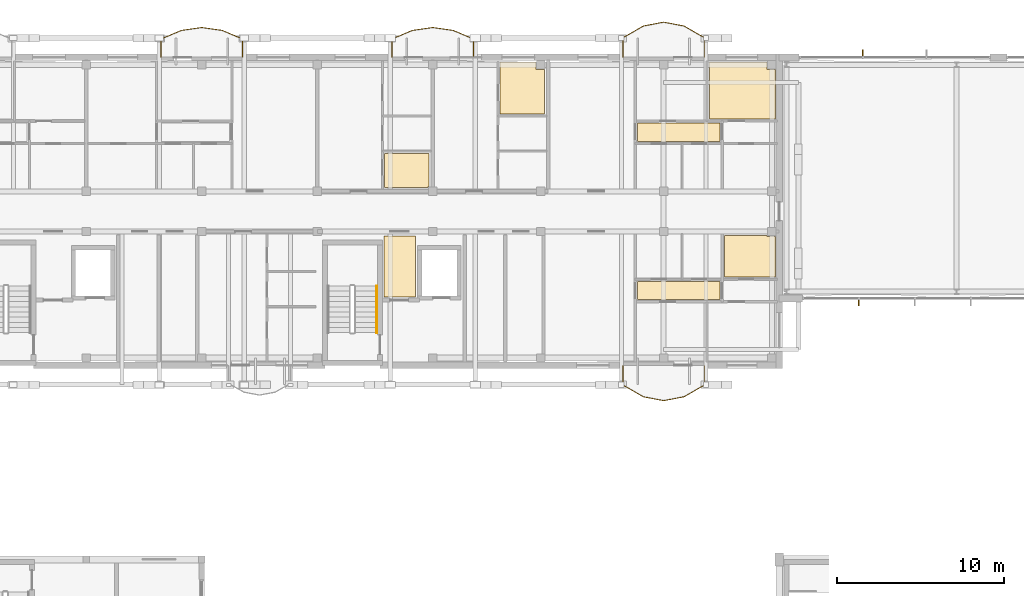
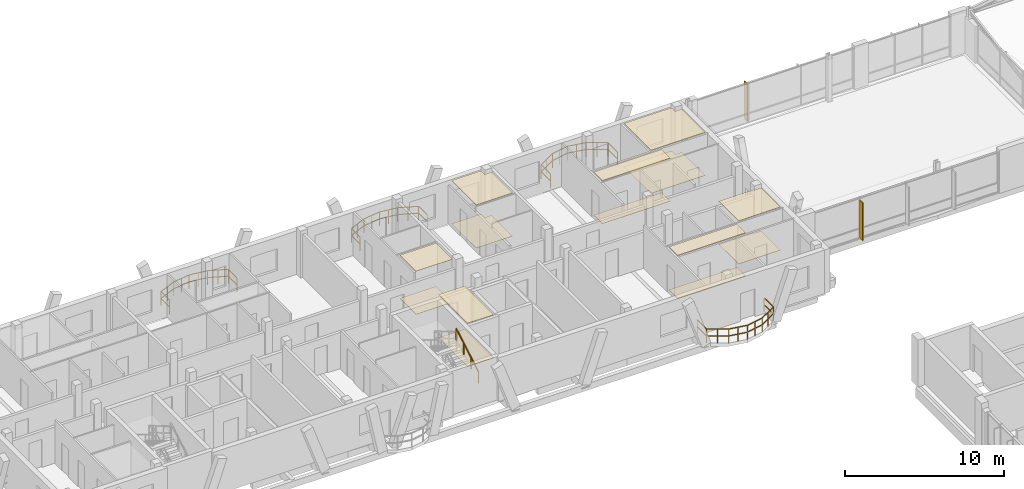
# One storey, part 180 of 189: 14 coverings, 5 railings, 2 shading devices.
"""IFC4 building model written with IfcOpenShell, lengths in metres."""

import ifcopenshell
import ifcopenshell.guid

model = None  # the IFC model being written
_history = None  # IfcOwnerHistory: only IFC2X3 demands one
_inside = {}  # id of a spatial element -> (the spatial element, [elements in it])
_under = {}  # id of a project, library or spatial element -> (it, [spatial elements below it])
_declared = {}  # id of a project -> (the project, [libraries it declares])
_typed = {}  # id of a type object -> (the type object, [elements of that type])
_made_of = {}  # id of a material, layer set ... -> (it, [elements and type objects made of it])


def new_model(schema):
    """Start an empty IFC model of exactly this schema.

    Asked for "IFC4X3", IfcOpenShell would pick the latest addendum, in which some entities
    have other attributes; the version numbers below select the first issue.
    IFC2X3 requires an IfcOwnerHistory on every rooted entity: one is made here for all.
    """
    global model, _history
    if schema == "IFC4X3":
        model = ifcopenshell.file(schema_version=(4, 3, 0, 0))
    else:
        model = ifcopenshell.file(schema=schema)
    _inside.clear()
    _under.clear()
    _declared.clear()
    _typed.clear()
    _made_of.clear()
    _history = None
    if model.schema == "IFC2X3":
        org = make("IfcOrganization", Name="unknown")
        user = make(
            "IfcPersonAndOrganization",
            ThePerson=make("IfcPerson", FamilyName="unknown"),
            TheOrganization=org,
        )
        app = make(
            "IfcApplication",
            ApplicationDeveloper=org,
            Version="unknown",
            ApplicationFullName="unknown",
            ApplicationIdentifier="unknown",
        )
        _history = make(
            "IfcOwnerHistory",
            OwningUser=user,
            OwningApplication=app,
            ChangeAction="ADDED",
            CreationDate=0,
        )
    return model


def make(cls, **values):
    """One entity of the class cls with the attributes given. An attribute that is None is left unset."""
    return model.create_entity(
        cls, **{name: value for name, value in values.items() if value is not None}
    )


def rooted(cls, **values):
    """An entity with a GlobalId (a new one), such as an element, a storey or a relation."""
    return make(cls, GlobalId=ifcopenshell.guid.new(), OwnerHistory=_history, **values)


def si_unit(unit_type, name, prefix=None):
    """IfcSIUnit, for example si_unit("LENGTHUNIT", "METRE", prefix="MILLI")."""
    return make("IfcSIUnit", UnitType=unit_type, Prefix=prefix, Name=name)


def assignment(units):
    """IfcUnitAssignment: the units of a project."""
    return None if units is None else make("IfcUnitAssignment", Units=units)


def point(xyz):
    """IfcCartesianPoint."""
    return None if xyz is None else make("IfcCartesianPoint", Coordinates=xyz)


def direction(xyz):
    """IfcDirection."""
    return None if xyz is None else make("IfcDirection", DirectionRatios=xyz)


def frame(location, z_axis=None, x_axis=None):
    """IfcAxis2Placement3D, a coordinate frame: its origin and axes. An axis left out is left unset."""
    return make(
        "IfcAxis2Placement3D",
        Location=point(location),
        Axis=direction(z_axis),
        RefDirection=direction(x_axis),
    )


def frame_2d(location, x_axis=None):
    """IfcAxis2Placement2D, a coordinate frame in the plane: its origin and x axis."""
    return make(
        "IfcAxis2Placement2D", Location=point(location), RefDirection=direction(x_axis)
    )


def origin():
    """The frame at (0, 0, 0) with its axes left unset."""
    return frame((0.0, 0.0, 0.0))


def origin_2d():
    """The frame at (0, 0) in the plane with its x axis left unset."""
    return frame_2d((0.0, 0.0))


def place(relative_to, where):
    """IfcLocalPlacement: puts the frame where relative to a parent placement (None: the world)."""
    return make(
        "IfcLocalPlacement", PlacementRelTo=relative_to, RelativePlacement=where
    )


def context(
    kind, dimensions, precision=None, world=None, true_north=None, identifier=None
):
    """IfcGeometricRepresentationContext, for example the 3D "Model" context."""
    return make(
        "IfcGeometricRepresentationContext",
        ContextIdentifier=identifier,
        ContextType=kind,
        CoordinateSpaceDimension=dimensions,
        Precision=precision,
        WorldCoordinateSystem=world,
        TrueNorth=true_north,
    )


def subcontext(parent, identifier, kind, view, scale=None):
    """IfcGeometricRepresentationSubContext, for example "Body" below "Model"."""
    return make(
        "IfcGeometricRepresentationSubContext",
        ContextIdentifier=identifier,
        ContextType=kind,
        ParentContext=parent,
        TargetScale=scale,
        TargetView=view,
    )


def project(units=None, contexts=None):
    """IfcProject with its units and contexts."""
    return rooted(
        "IfcProject",
        Name="project",
        RepresentationContexts=contexts,
        UnitsInContext=assignment(units),
    )


def spatial(cls, under=None, at=None, **own):
    """A site, building, storey or space (cls), placed at a placement, below another one or the project."""
    s = rooted(cls, ObjectPlacement=at, **own)
    if under is not None:
        _under.setdefault(under.id(), (under, []))[1].append(s)
    return s


def polyline(points):
    """IfcPolyline through the points."""
    return make("IfcPolyline", Points=[point(p) for p in points])


def profile(cls, at=None, kind="AREA", **sizes):
    """A parametric profile (cls). Its sizes go by their IFC names, for example OverallWidth=200.0."""
    return make(cls, ProfileType=kind, Position=at, **sizes)


def rectangle(**sizes):
    """IfcRectangleProfileDef."""
    return profile("IfcRectangleProfileDef", **sizes)


def outline(outer, holes=None, kind="AREA"):
    """IfcArbitraryClosedProfileDef: a profile drawn as a closed curve; with holes, ...WithVoids."""
    if holes is None:
        return make("IfcArbitraryClosedProfileDef", ProfileType=kind, OuterCurve=outer)
    return make(
        "IfcArbitraryProfileDefWithVoids",
        ProfileType=kind,
        OuterCurve=outer,
        InnerCurves=holes,
    )


def extrude(swept, where, along, depth):
    """IfcExtrudedAreaSolid: the profile swept, set in the frame where, extruded along a direction by depth."""
    return make(
        "IfcExtrudedAreaSolid",
        SweptArea=swept,
        Position=where,
        ExtrudedDirection=direction(along),
        Depth=depth,
    )


def shape(context_of_items, identifier, shape_type, items):
    """IfcShapeRepresentation: the items that make up one representation, for example the "Body"."""
    return make(
        "IfcShapeRepresentation",
        ContextOfItems=context_of_items,
        RepresentationIdentifier=identifier,
        RepresentationType=shape_type,
        Items=items,
    )


def material(Name=None, Category=None):
    """IfcMaterial."""
    return make("IfcMaterial", Name=Name, Category=Category)


def layer(
    of_material, thickness, ventilated=None, Name=None, Category=None, Priority=None
):
    """IfcMaterialLayer: one layer of a wall or slab, of a material (None: an air gap)."""
    return make(
        "IfcMaterialLayer",
        Material=of_material,
        LayerThickness=thickness,
        IsVentilated=ventilated,
        Name=Name,
        Category=Category,
        Priority=Priority,
    )


def layer_set(layers, Name=None):
    """IfcMaterialLayerSet."""
    return make("IfcMaterialLayerSet", MaterialLayers=layers, LayerSetName=Name)


def made_of(thing, what):
    """Note that an element or type object is made of a material, layer set ...; save() writes the relation."""
    if what is not None:
        _made_of.setdefault(what.id(), (what, []))[1].append(thing)
    return thing


def type_object(cls, material=None, **own):
    """A type object (cls), such as IfcWallType, which elements share."""
    return made_of(rooted(cls, **own), material)


def element(
    cls,
    number,
    at=None,
    inside=None,
    cuts=None,
    type_object=None,
    material=None,
    context=None,
    identifier="Body",
    shape_type=None,
    held_by="IfcProductDefinitionShape",
    body=None,
    shapes=None,
    **own,
):
    """One element of the class cls, such as IfcWall. Its Tag is "e" and its number.

    at: its placement. inside: the storey or other place that contains it. cuts: it is an
    opening in that element (IfcRelVoidsElement). A single representation is given by context,
    identifier, shape_type and body (its items); several are given by shapes. held_by: the class
    of the entity that holds the representations. save() writes the other relations.
    """
    e = rooted(cls, Tag="e%d" % number, ObjectPlacement=at, **own)
    if body is not None:
        shapes = [shape(context, identifier, shape_type, body)]
    if shapes is not None:
        e.Representation = make(held_by, Representations=shapes)
    if inside is not None:
        _inside.setdefault(inside.id(), (inside, []))[1].append(e)
    if cuts is not None:
        rooted(
            "IfcRelVoidsElement", RelatingBuildingElement=cuts, RelatedOpeningElement=e
        )
    if type_object is not None:
        _typed.setdefault(type_object.id(), (type_object, []))[1].append(e)
    return made_of(e, material)


def aggregate(whole, parts):
    """IfcRelAggregates: a whole, such as a stair, and the parts it consists of."""
    return rooted("IfcRelAggregates", RelatingObject=whole, RelatedObjects=parts)


def save(model, path):
    """Write the relations noted so far, then the file.

    IfcRelAggregates (storeys below a building ...), IfcRelContainedInSpatialStructure (elements
    in a storey), IfcRelDefinesByType, IfcRelAssociatesMaterial and IfcRelDeclares: one each for
    every whole, place, type object, material and project.
    """
    for whole, parts in _under.values():
        aggregate(whole, parts)
    for where, things in _inside.values():
        rooted(
            "IfcRelContainedInSpatialStructure",
            RelatedElements=things,
            RelatingStructure=where,
        )
    for kind, things in _typed.values():
        rooted("IfcRelDefinesByType", RelatedObjects=things, RelatingType=kind)
    for what, things in _made_of.values():
        rooted("IfcRelAssociatesMaterial", RelatedObjects=things, RelatingMaterial=what)
    for by, libraries in _declared.values():
        rooted("IfcRelDeclares", RelatingContext=by, RelatedDefinitions=libraries)
    model.write(path)


model = new_model("IFC4")

# Units and contexts
model_context = context("Model", 3, precision=1e-05, world=origin(), true_north=direction((0.0, 1.0)))
body_context = subcontext(model_context, "Body", "Model", "MODEL_VIEW")
ifc_project = project(units=[si_unit("LENGTHUNIT", "METRE"), si_unit("AREAUNIT", "SQUARE_METRE"), si_unit("VOLUMEUNIT", "CUBIC_METRE"), si_unit("PLANEANGLEUNIT", "RADIAN"), si_unit("MASSUNIT", "GRAM", prefix="KILO")], contexts=[model_context])

# Site, building, storey
site_placement = place(None, origin())
site = spatial("IfcSite", under=ifc_project, at=site_placement, CompositionType="ELEMENT")
building_placement = place(site_placement, origin())
building = spatial("IfcBuilding", under=site, at=building_placement, Name="Zavelmont Quarter", CompositionType="ELEMENT")
storey_placement = place(building_placement, frame((0.0, 0.0, 4.39990234375)))
storey = spatial("IfcBuildingStorey", under=building, at=storey_placement, Name="L01", CompositionType="ELEMENT", Elevation=4.39990234375)

# Coverings
ifc_material_1 = material(Name="Perforated acoustic gypsum board")
ifc_layer_1 = layer(ifc_material_1, 0.02490234375)
ifc_layer_set_1 = layer_set([ifc_layer_1], Name="Perforated acoustic gypsum board")
covering_type_1 = type_object("IfcCoveringType", Name="CV-CL01", PredefinedType="CEILING", material=ifc_layer_set_1)
covering_1_placement = place(storey_placement, frame((0.0, 0.0, 3.30517578125)))
element("IfcCovering", 1, at=covering_1_placement, inside=storey, type_object=covering_type_1, Name="L01 Lobby Vestibule acoustic ceiling", PredefinedType="CEILING", context=body_context, shape_type="SweptSolid", body=[
    extrude(outline(polyline([(31.580078125, 105.320068359375), (33.469970703125, 105.320068359375), (33.469970703125, 101.679931640625), (31.580078125, 101.679931640625), (31.580078125, 105.320068359375)])), origin(), (0.0, 0.0, 1.0), 0.02490234375),
])
covering_2_placement = place(storey_placement, frame((0.0, 0.0, 3.30517578125)))
element("IfcCovering", 2, at=covering_2_placement, inside=storey, type_object=covering_type_1, Name="L01 Kitchen acoustic ceiling", PredefinedType="CEILING", context=body_context, shape_type="SweptSolid", body=[
    extrude(outline(polyline([(31.6298828125, 110.27001953125), (34.27001953125, 110.27001953125), (34.27001953125, 108.2900390625), (34.2099609375, 108.2900390625), (34.2099609375, 108.22998046875), (31.6298828125, 108.22998046875), (31.6298828125, 110.27001953125)])), origin(), (0.0, 0.0, 1.0), 0.02490234375),
])
covering_3_placement = place(storey_placement, frame((0.0, 0.0, 3.30517578125)))
element("IfcCovering", 3, at=covering_3_placement, inside=storey, type_object=covering_type_1, Name="L01 Single Bedroom acoustic ceiling", PredefinedType="CEILING", context=body_context, shape_type="SweptSolid", body=[
    extrude(outline(polyline([(38.530029296875, 115.719970703125), (40.669921875, 115.719970703125), (40.669921875, 115.27001953125), (41.169921875, 115.27001953125), (41.169921875, 112.6298828125), (38.530029296875, 112.6298828125), (38.530029296875, 115.719970703125)])), origin(), (0.0, 0.0, 1.0), 0.02490234375),
])
covering_4_placement = place(storey_placement, frame((0.0, 0.0, 3.30517578125)))
element("IfcCovering", 4, at=covering_4_placement, inside=storey, type_object=covering_type_1, Name="L01 Double Bedroom acoustic ceiling", PredefinedType="CEILING", context=body_context, shape_type="SweptSolid", body=[
    extrude(outline(polyline([(51.030029296875, 115.719970703125), (54.469970703125, 115.719970703125), (54.469970703125, 115.27001953125), (54.969970703125, 115.27001953125), (54.969970703125, 112.330078125), (51.030029296875, 112.330078125), (51.030029296875, 115.719970703125)])), origin(), (0.0, 0.0, 1.0), 0.02490234375),
])
ifc_material_2 = material(Name="Slatted European ash acoustic baffle ceiling")
ifc_layer_2 = layer(ifc_material_2, 0.0400390625)
ifc_layer_set_2 = layer_set([ifc_layer_2], Name="Slatted European ash acoustic baffle ceiling")
covering_type_2 = type_object("IfcCoveringType", Name="CV-CL02", PredefinedType="CEILING", material=ifc_layer_set_2)
covering_5_placement = place(storey_placement, frame((0.0, 0.0, 3.2900390625)))
element("IfcCovering", 5, at=covering_5_placement, inside=storey, type_object=covering_type_2, Name="L01 Apartment Hall acoustic ceiling", PredefinedType="CEILING", context=body_context, shape_type="SweptSolid", body=[
    extrude(outline(polyline([(46.72998046875, 112.070068359375), (51.669921875, 112.070068359375), (51.669921875, 110.97998046875), (46.72998046875, 110.97998046875), (46.72998046875, 112.070068359375)])), origin(), (0.0, 0.0, 1.0), 0.0400390625),
])
covering_6_placement = place(storey_placement, frame((0.0, 0.0, 3.2900390625)))
element("IfcCovering", 6, at=covering_6_placement, inside=storey, type_object=covering_type_2, Name="L01 Apartment Hall acoustic ceiling", PredefinedType="CEILING", context=body_context, shape_type="SweptSolid", body=[
    extrude(outline(polyline([(46.72998046875, 102.6201171875), (51.669921875, 102.6201171875), (51.669921875, 101.530029296875), (46.72998046875, 101.530029296875), (46.72998046875, 102.6201171875)])), origin(), (0.0, 0.0, 1.0), 0.0400390625),
])
ifc_material_3 = material(Name="Moisture-resistant painted gypsum ceiling")
ifc_layer_3 = layer(ifc_material_3, 0.02001953125)
ifc_layer_set_3 = layer_set([ifc_layer_3], Name="Moisture-resistant painted gypsum ceiling")
covering_type_3 = type_object("IfcCoveringType", Name="CV-CL04", PredefinedType="CEILING", material=ifc_layer_set_3)
covering_7_placement = place(storey_placement, frame((0.0, 0.0, 3.31005859375)))
element("IfcCovering", 7, at=covering_7_placement, inside=storey, type_object=covering_type_3, Name="L01 Bathroom acoustic ceiling", PredefinedType="CEILING", context=body_context, shape_type="SweptSolid", body=[
    extrude(outline(polyline([(51.929931640625, 105.3701171875), (54.469970703125, 105.3701171875), (54.469970703125, 105.31005859375), (54.969970703125, 105.31005859375), (54.969970703125, 102.8798828125), (51.929931640625, 102.8798828125), (51.929931640625, 105.3701171875)])), origin(), (0.0, 0.0, 1.0), 0.02001953125),
])
ifc_material_4 = material(Name="Engineered European oak parquet")
ifc_layer_4 = layer(ifc_material_4, 0.02197265625)
ifc_layer_set_4 = layer_set([ifc_layer_4], Name="Engineered European oak parquet")
covering_type_4 = type_object("IfcCoveringType", Name="CV-FL01", PredefinedType="FLOORING", material=ifc_layer_set_4)
covering_8_placement = place(storey_placement, origin())
element("IfcCovering", 8, at=covering_8_placement, inside=storey, type_object=covering_type_4, Name="L01 Lobby Vestibule floor finish", PredefinedType="FLOORING", context=body_context, shape_type="SweptSolid", body=[
    extrude(outline(polyline([(31.580078125, 105.320068359375), (33.469970703125, 105.320068359375), (33.469970703125, 101.679931640625), (31.580078125, 101.679931640625), (31.580078125, 105.320068359375)])), origin(), (0.0, 0.0, 1.0), 0.022216796875),
])
covering_9_placement = place(storey_placement, origin())
element("IfcCovering", 9, at=covering_9_placement, inside=storey, type_object=covering_type_4, Name="L01 Kitchen floor finish", PredefinedType="FLOORING", context=body_context, shape_type="SweptSolid", body=[
    extrude(outline(polyline([(31.6298828125, 110.27001953125), (34.27001953125, 110.27001953125), (34.27001953125, 108.2900390625), (34.2099609375, 108.2900390625), (34.2099609375, 108.22998046875), (31.6298828125, 108.22998046875), (31.6298828125, 110.27001953125)])), origin(), (0.0, 0.0, 1.0), 0.022216796875),
])
covering_10_placement = place(storey_placement, origin())
element("IfcCovering", 10, at=covering_10_placement, inside=storey, type_object=covering_type_4, Name="L01 Single Bedroom floor finish", PredefinedType="FLOORING", context=body_context, shape_type="SweptSolid", body=[
    extrude(outline(polyline([(38.530029296875, 115.719970703125), (40.669921875, 115.719970703125), (40.669921875, 115.27001953125), (41.169921875, 115.27001953125), (41.169921875, 112.6298828125), (38.530029296875, 112.6298828125), (38.530029296875, 115.719970703125)])), origin(), (0.0, 0.0, 1.0), 0.022216796875),
])
covering_11_placement = place(storey_placement, origin())
element("IfcCovering", 11, at=covering_11_placement, inside=storey, type_object=covering_type_4, Name="L01 Double Bedroom floor finish", PredefinedType="FLOORING", context=body_context, shape_type="SweptSolid", body=[
    extrude(outline(polyline([(51.030029296875, 115.719970703125), (54.469970703125, 115.719970703125), (54.469970703125, 115.27001953125), (54.969970703125, 115.27001953125), (54.969970703125, 112.330078125), (51.030029296875, 112.330078125), (51.030029296875, 115.719970703125)])), origin(), (0.0, 0.0, 1.0), 0.022216796875),
])
ifc_material_5 = material(Name="Honed Belgian bluestone tile", Category="masonry")
ifc_layer_5 = layer(ifc_material_5, 0.030029296875)
ifc_layer_set_5 = layer_set([ifc_layer_5], Name="Honed Belgian bluestone tile")
covering_type_5 = type_object("IfcCoveringType", Name="CV-FL02", PredefinedType="FLOORING", material=ifc_layer_set_5)
covering_12_placement = place(storey_placement, origin())
element("IfcCovering", 12, at=covering_12_placement, inside=storey, type_object=covering_type_5, Name="L01 Apartment Hall floor finish", PredefinedType="FLOORING", context=body_context, shape_type="SweptSolid", body=[
    extrude(outline(polyline([(46.72998046875, 112.070068359375), (51.669921875, 112.070068359375), (51.669921875, 110.97998046875), (46.72998046875, 110.97998046875), (46.72998046875, 112.070068359375)])), origin(), (0.0, 0.0, 1.0), 0.030029296875),
])
covering_13_placement = place(storey_placement, origin())
element("IfcCovering", 13, at=covering_13_placement, inside=storey, type_object=covering_type_5, Name="L01 Apartment Hall floor finish", PredefinedType="FLOORING", context=body_context, shape_type="SweptSolid", body=[
    extrude(outline(polyline([(46.72998046875, 102.6201171875), (51.669921875, 102.6201171875), (51.669921875, 101.530029296875), (46.72998046875, 101.530029296875), (46.72998046875, 102.6201171875)])), origin(), (0.0, 0.0, 1.0), 0.030029296875),
])
ifc_material_6 = material(Name="Slip-resistant porcelain tile")
ifc_layer_6 = layer(ifc_material_6, 0.02587890625)
ifc_layer_set_6 = layer_set([ifc_layer_6], Name="Slip-resistant porcelain tile")
covering_type_6 = type_object("IfcCoveringType", Name="CV-FL04", PredefinedType="FLOORING", material=ifc_layer_set_6)
covering_14_placement = place(storey_placement, origin())
element("IfcCovering", 14, at=covering_14_placement, inside=storey, type_object=covering_type_6, Name="L01 Bathroom floor finish", PredefinedType="FLOORING", context=body_context, shape_type="SweptSolid", body=[
    extrude(outline(polyline([(51.929931640625, 105.3701171875), (54.469970703125, 105.3701171875), (54.469970703125, 105.31005859375), (54.969970703125, 105.31005859375), (54.969970703125, 102.8798828125), (51.929931640625, 102.8798828125), (51.929931640625, 105.3701171875)])), origin(), (0.0, 0.0, 1.0), 0.026123046875),
])

# Railings
ifc_material_7 = material(Name="Powder-coated steel and tempered double safety glass", Category="steel")
railing_type_1 = type_object("IfcRailingType", Name="RL-BAL1", PredefinedType="BALUSTRADE", material=ifc_material_7)
railing_1_placement = place(storey_placement, frame((23.13916015625, 116.02001953125, 0.0)))
element("IfcRailing", 15, at=railing_1_placement, inside=storey, type_object=railing_type_1, Name="L01 Block B curved balcony guard RL-BAL1", PredefinedType="BALUSTRADE", context=body_context, shape_type="SweptSolid", body=[
    extrude(rectangle(XDim=0.048095703125, YDim=0.048095703125, at=origin_2d()), frame((0.0, 0.0, 1.076171875), z_axis=(0.0, 1.0, 0.0), x_axis=(-1.0, 0.0, 0.0)), (0.0, 0.0, 1.0), 1.080078125),
    extrude(rectangle(XDim=0.048095703125, YDim=0.048095703125, at=origin_2d()), frame((0.0, 0.0, 0.550048828125), z_axis=(0.0, 1.0, 0.0), x_axis=(-1.0, 0.0, 0.0)), (0.0, 0.0, 1.0), 1.080078125),
    extrude(rectangle(XDim=0.048095703125, YDim=0.048095703125, at=origin_2d()), frame((0.0, 1.080078125, 1.076171875), z_axis=(-0.92058780564, 0.390535647678, 0.0), x_axis=(-0.390535647678, -0.92058780564, 0.0)), (0.0, 0.0, 1.0), 1.32470703125),
    extrude(rectangle(XDim=0.048095703125, YDim=0.048095703125, at=origin_2d()), frame((0.0, 1.080078125, 0.550048828125), z_axis=(-0.92058780564, 0.390535647678, 0.0), x_axis=(-0.390535647678, -0.92058780564, 0.0)), (0.0, 0.0, 1.0), 1.32470703125),
    extrude(rectangle(XDim=0.048095703125, YDim=0.048095703125, at=origin_2d()), frame((-1.219482421875, 1.597412109375, 1.076171875), z_axis=(-0.990134929143, 0.140117172719, 0.0), x_axis=(-0.140117172719, -0.990134929143, 0.0)), (0.0, 0.0, 1.0), 1.23193359375),
    extrude(rectangle(XDim=0.048095703125, YDim=0.048095703125, at=origin_2d()), frame((-1.219482421875, 1.597412109375, 0.550048828125), z_axis=(-0.990134929143, 0.140117172719, 0.0), x_axis=(-0.140117172719, -0.990134929143, 0.0)), (0.0, 0.0, 1.0), 1.23193359375),
    extrude(rectangle(XDim=0.048095703125, YDim=0.048095703125, at=origin_2d()), frame((-2.439208984375, 1.77001953125, 1.076171875), z_axis=(-0.990131037056, -0.140144673313, 0.0), x_axis=(0.140144673313, -0.990131037056, 0.0)), (0.0, 0.0, 1.0), 1.231689453125),
    extrude(rectangle(XDim=0.048095703125, YDim=0.048095703125, at=origin_2d()), frame((-2.439208984375, 1.77001953125, 0.550048828125), z_axis=(-0.990131037056, -0.140144673313, 0.0), x_axis=(0.140144673313, -0.990131037056, 0.0)), (0.0, 0.0, 1.0), 1.231689453125),
    extrude(rectangle(XDim=0.048095703125, YDim=0.048095703125, at=origin_2d()), frame((-3.65869140625, 1.597412109375, 1.076171875), z_axis=(-0.920615907856, -0.390469397267, 0.0), x_axis=(0.390469397267, -0.920615907856, 0.0)), (0.0, 0.0, 1.0), 1.324951171875),
    extrude(rectangle(XDim=0.048095703125, YDim=0.048095703125, at=origin_2d()), frame((-3.65869140625, 1.597412109375, 0.550048828125), z_axis=(-0.920615907856, -0.390469397267, 0.0), x_axis=(0.390469397267, -0.920615907856, 0.0)), (0.0, 0.0, 1.0), 1.324951171875),
    extrude(rectangle(XDim=0.048095703125, YDim=0.048095703125, at=origin_2d()), frame((-4.87841796875, 1.080078125, 1.076171875), z_axis=(0.0, -1.0, 0.0), x_axis=(1.0, 0.0, 0.0)), (0.0, 0.0, 1.0), 1.080078125),
    extrude(rectangle(XDim=0.048095703125, YDim=0.048095703125, at=origin_2d()), frame((-4.87841796875, 1.080078125, 0.550048828125), z_axis=(0.0, -1.0, 0.0), x_axis=(1.0, 0.0, 0.0)), (0.0, 0.0, 1.0), 1.080078125),
    extrude(rectangle(XDim=0.0419921875, YDim=0.0419921875, at=origin_2d()), origin(), (0.0, 0.0, 1.0), 1.052001953125),
    extrude(rectangle(XDim=0.0419921875, YDim=0.0419921875, at=origin_2d()), frame((0.0, 1.080078125, 0.0)), (0.0, 0.0, 1.0), 1.052001953125),
    extrude(rectangle(XDim=0.0419921875, YDim=0.0419921875, at=origin_2d()), frame((-0.60986328125, 1.3388671875, 0.0)), (0.0, 0.0, 1.0), 1.052001953125),
    extrude(rectangle(XDim=0.0419921875, YDim=0.0419921875, at=origin_2d()), frame((-1.219482421875, 1.597412109375, 0.0)), (0.0, 0.0, 1.0), 1.052001953125),
    extrude(rectangle(XDim=0.0419921875, YDim=0.0419921875, at=origin_2d()), frame((-1.829345703125, 1.68359375, 0.0)), (0.0, 0.0, 1.0), 1.052001953125),
    extrude(rectangle(XDim=0.0419921875, YDim=0.0419921875, at=origin_2d()), frame((-2.439208984375, 1.77001953125, 0.0)), (0.0, 0.0, 1.0), 1.052001953125),
    extrude(rectangle(XDim=0.0419921875, YDim=0.0419921875, at=origin_2d()), frame((-3.048828125, 1.68359375, 0.0)), (0.0, 0.0, 1.0), 1.052001953125),
    extrude(rectangle(XDim=0.0419921875, YDim=0.0419921875, at=origin_2d()), frame((-3.65869140625, 1.597412109375, 0.0)), (0.0, 0.0, 1.0), 1.052001953125),
    extrude(rectangle(XDim=0.0419921875, YDim=0.0419921875, at=origin_2d()), frame((-4.2685546875, 1.3388671875, 0.0)), (0.0, 0.0, 1.0), 1.052001953125),
    extrude(rectangle(XDim=0.0419921875, YDim=0.0419921875, at=origin_2d()), frame((-4.87841796875, 1.080078125, 0.0)), (0.0, 0.0, 1.0), 1.052001953125),
    extrude(rectangle(XDim=0.0419921875, YDim=0.0419921875, at=origin_2d()), frame((-4.87841796875, 0.0, 0.0)), (0.0, 0.0, 1.0), 1.052001953125),
])
railing_2_placement = place(storey_placement, frame((36.939208984375, 116.02001953125, 0.0)))
element("IfcRailing", 16, at=railing_2_placement, inside=storey, type_object=railing_type_1, Name="L01 Block B curved balcony guard RL-BAL1", PredefinedType="BALUSTRADE", context=body_context, shape_type="SweptSolid", body=[
    extrude(rectangle(XDim=0.048095703125, YDim=0.048095703125, at=origin_2d()), frame((0.0, 0.0, 1.076171875), z_axis=(0.0, 1.0, 0.0), x_axis=(-1.0, 0.0, 0.0)), (0.0, 0.0, 1.0), 1.080078125),
    extrude(rectangle(XDim=0.048095703125, YDim=0.048095703125, at=origin_2d()), frame((0.0, 0.0, 0.550048828125), z_axis=(0.0, 1.0, 0.0), x_axis=(-1.0, 0.0, 0.0)), (0.0, 0.0, 1.0), 1.080078125),
    extrude(rectangle(XDim=0.048095703125, YDim=0.048095703125, at=origin_2d()), frame((0.0, 1.080078125, 1.076171875), z_axis=(-0.920615907856, 0.390469397267, 0.0), x_axis=(-0.390469397267, -0.920615907856, 0.0)), (0.0, 0.0, 1.0), 1.324951171875),
    extrude(rectangle(XDim=0.048095703125, YDim=0.048095703125, at=origin_2d()), frame((0.0, 1.080078125, 0.550048828125), z_axis=(-0.920615907856, 0.390469397267, 0.0), x_axis=(-0.390469397267, -0.920615907856, 0.0)), (0.0, 0.0, 1.0), 1.324951171875),
    extrude(rectangle(XDim=0.048095703125, YDim=0.048095703125, at=origin_2d()), frame((-1.2197265625, 1.597412109375, 1.076171875), z_axis=(-0.990131037056, 0.140144673313, 0.0), x_axis=(-0.140144673313, -0.990131037056, 0.0)), (0.0, 0.0, 1.0), 1.231689453125),
    extrude(rectangle(XDim=0.048095703125, YDim=0.048095703125, at=origin_2d()), frame((-1.2197265625, 1.597412109375, 0.550048828125), z_axis=(-0.990131037056, 0.140144673313, 0.0), x_axis=(-0.140144673313, -0.990131037056, 0.0)), (0.0, 0.0, 1.0), 1.231689453125),
    extrude(rectangle(XDim=0.048095703125, YDim=0.048095703125, at=origin_2d()), frame((-2.439208984375, 1.77001953125, 1.076171875), z_axis=(-0.990131037056, -0.140144673313, 0.0), x_axis=(0.140144673313, -0.990131037056, 0.0)), (0.0, 0.0, 1.0), 1.231689453125),
    extrude(rectangle(XDim=0.048095703125, YDim=0.048095703125, at=origin_2d()), frame((-2.439208984375, 1.77001953125, 0.550048828125), z_axis=(-0.990131037056, -0.140144673313, 0.0), x_axis=(0.140144673313, -0.990131037056, 0.0)), (0.0, 0.0, 1.0), 1.231689453125),
    extrude(rectangle(XDim=0.048095703125, YDim=0.048095703125, at=origin_2d()), frame((-3.65869140625, 1.597412109375, 1.076171875), z_axis=(-0.920615907856, -0.390469397267, 0.0), x_axis=(0.390469397267, -0.920615907856, 0.0)), (0.0, 0.0, 1.0), 1.324951171875),
    extrude(rectangle(XDim=0.048095703125, YDim=0.048095703125, at=origin_2d()), frame((-3.65869140625, 1.597412109375, 0.550048828125), z_axis=(-0.920615907856, -0.390469397267, 0.0), x_axis=(0.390469397267, -0.920615907856, 0.0)), (0.0, 0.0, 1.0), 1.324951171875),
    extrude(rectangle(XDim=0.048095703125, YDim=0.048095703125, at=origin_2d()), frame((-4.87841796875, 1.080078125, 1.076171875), z_axis=(0.0, -1.0, 0.0), x_axis=(1.0, 0.0, 0.0)), (0.0, 0.0, 1.0), 1.080078125),
    extrude(rectangle(XDim=0.048095703125, YDim=0.048095703125, at=origin_2d()), frame((-4.87841796875, 1.080078125, 0.550048828125), z_axis=(0.0, -1.0, 0.0), x_axis=(1.0, 0.0, 0.0)), (0.0, 0.0, 1.0), 1.080078125),
    extrude(rectangle(XDim=0.0419921875, YDim=0.0419921875, at=origin_2d()), origin(), (0.0, 0.0, 1.0), 1.052001953125),
    extrude(rectangle(XDim=0.0419921875, YDim=0.0419921875, at=origin_2d()), frame((0.0, 1.080078125, 0.0)), (0.0, 0.0, 1.0), 1.052001953125),
    extrude(rectangle(XDim=0.0419921875, YDim=0.0419921875, at=origin_2d()), frame((-0.60986328125, 1.3388671875, 0.0)), (0.0, 0.0, 1.0), 1.052001953125),
    extrude(rectangle(XDim=0.0419921875, YDim=0.0419921875, at=origin_2d()), frame((-1.2197265625, 1.597412109375, 0.0)), (0.0, 0.0, 1.0), 1.052001953125),
    extrude(rectangle(XDim=0.0419921875, YDim=0.0419921875, at=origin_2d()), frame((-1.82958984375, 1.68359375, 0.0)), (0.0, 0.0, 1.0), 1.052001953125),
    extrude(rectangle(XDim=0.0419921875, YDim=0.0419921875, at=origin_2d()), frame((-2.439208984375, 1.77001953125, 0.0)), (0.0, 0.0, 1.0), 1.052001953125),
    extrude(rectangle(XDim=0.0419921875, YDim=0.0419921875, at=origin_2d()), frame((-3.048828125, 1.68359375, 0.0)), (0.0, 0.0, 1.0), 1.052001953125),
    extrude(rectangle(XDim=0.0419921875, YDim=0.0419921875, at=origin_2d()), frame((-3.65869140625, 1.597412109375, 0.0)), (0.0, 0.0, 1.0), 1.052001953125),
    extrude(rectangle(XDim=0.0419921875, YDim=0.0419921875, at=origin_2d()), frame((-4.2685546875, 1.3388671875, 0.0)), (0.0, 0.0, 1.0), 1.052001953125),
    extrude(rectangle(XDim=0.0419921875, YDim=0.0419921875, at=origin_2d()), frame((-4.87841796875, 1.080078125, 0.0)), (0.0, 0.0, 1.0), 1.052001953125),
    extrude(rectangle(XDim=0.0419921875, YDim=0.0419921875, at=origin_2d()), frame((-4.87841796875, 0.0, 0.0)), (0.0, 0.0, 1.0), 1.052001953125),
])
railing_3_placement = place(storey_placement, frame((50.726806640625, 116.02001953125, 0.0)))
element("IfcRailing", 17, at=railing_3_placement, inside=storey, type_object=railing_type_1, Name="L01 Block B curved balcony guard RL-BAL1", PredefinedType="BALUSTRADE", context=body_context, shape_type="SweptSolid", body=[
    extrude(rectangle(XDim=0.048095703125, YDim=0.048095703125, at=origin_2d()), frame((0.0, 0.0, 1.076171875), z_axis=(0.0, 1.0, 0.0), x_axis=(-1.0, 0.0, 0.0)), (0.0, 0.0, 1.0), 1.16259765625),
    extrude(rectangle(XDim=0.048095703125, YDim=0.048095703125, at=origin_2d()), frame((0.0, 0.0, 0.550048828125), z_axis=(0.0, 1.0, 0.0), x_axis=(-1.0, 0.0, 0.0)), (0.0, 0.0, 1.0), 1.16259765625),
    extrude(rectangle(XDim=0.048095703125, YDim=0.048095703125, at=origin_2d()), frame((0.0, 1.16259765625, 1.076171875), z_axis=(-0.867156837692, 0.49803515824, 0.0), x_axis=(-0.49803515824, -0.867156837692, 0.0)), (0.0, 0.0, 1.0), 1.399658203125),
    extrude(rectangle(XDim=0.048095703125, YDim=0.048095703125, at=origin_2d()), frame((0.0, 1.16259765625, 0.550048828125), z_axis=(-0.867156837692, 0.49803515824, 0.0), x_axis=(-0.49803515824, -0.867156837692, 0.0)), (0.0, 0.0, 1.0), 1.399658203125),
    extrude(rectangle(XDim=0.048095703125, YDim=0.048095703125, at=origin_2d()), frame((-1.213623046875, 1.859619140625, 1.076171875), z_axis=(-0.982137321018, 0.188165572471, 0.0), x_axis=(-0.188165572471, -0.982137321018, 0.0)), (0.0, 0.0, 1.0), 1.235107421875),
    extrude(rectangle(XDim=0.048095703125, YDim=0.048095703125, at=origin_2d()), frame((-1.213623046875, 1.859619140625, 0.550048828125), z_axis=(-0.982137321018, 0.188165572471, 0.0), x_axis=(-0.188165572471, -0.982137321018, 0.0)), (0.0, 0.0, 1.0), 1.235107421875),
    extrude(rectangle(XDim=0.048095703125, YDim=0.048095703125, at=origin_2d()), frame((-2.4267578125, 2.092041015625, 1.076171875), z_axis=(-0.982144317136, -0.188129052296, 0.0), x_axis=(0.188129052296, -0.982144317136, 0.0)), (0.0, 0.0, 1.0), 1.2353515625),
    extrude(rectangle(XDim=0.048095703125, YDim=0.048095703125, at=origin_2d()), frame((-2.4267578125, 2.092041015625, 0.550048828125), z_axis=(-0.982144317136, -0.188129052296, 0.0), x_axis=(0.188129052296, -0.982144317136, 0.0)), (0.0, 0.0, 1.0), 1.2353515625),
    extrude(rectangle(XDim=0.048095703125, YDim=0.048095703125, at=origin_2d()), frame((-3.64013671875, 1.859619140625, 1.076171875), z_axis=(-0.867113559168, -0.498110505317, 0.0), x_axis=(0.498110505317, -0.867113559168, 0.0)), (0.0, 0.0, 1.0), 1.3994140625),
    extrude(rectangle(XDim=0.048095703125, YDim=0.048095703125, at=origin_2d()), frame((-3.64013671875, 1.859619140625, 0.550048828125), z_axis=(-0.867113559168, -0.498110505317, 0.0), x_axis=(0.498110505317, -0.867113559168, 0.0)), (0.0, 0.0, 1.0), 1.3994140625),
    extrude(rectangle(XDim=0.048095703125, YDim=0.048095703125, at=origin_2d()), frame((-4.853515625, 1.16259765625, 1.076171875), z_axis=(0.0, -1.0, 0.0), x_axis=(1.0, 0.0, 0.0)), (0.0, 0.0, 1.0), 1.16259765625),
    extrude(rectangle(XDim=0.048095703125, YDim=0.048095703125, at=origin_2d()), frame((-4.853515625, 1.16259765625, 0.550048828125), z_axis=(0.0, -1.0, 0.0), x_axis=(1.0, 0.0, 0.0)), (0.0, 0.0, 1.0), 1.16259765625),
    extrude(rectangle(XDim=0.0419921875, YDim=0.0419921875, at=origin_2d()), origin(), (0.0, 0.0, 1.0), 1.052001953125),
    extrude(rectangle(XDim=0.0419921875, YDim=0.0419921875, at=origin_2d()), frame((0.0, 1.16259765625, 0.0)), (0.0, 0.0, 1.0), 1.052001953125),
    extrude(rectangle(XDim=0.0419921875, YDim=0.0419921875, at=origin_2d()), frame((-0.60693359375, 1.51123046875, 0.0)), (0.0, 0.0, 1.0), 1.052001953125),
    extrude(rectangle(XDim=0.0419921875, YDim=0.0419921875, at=origin_2d()), frame((-1.213623046875, 1.859619140625, 0.0)), (0.0, 0.0, 1.0), 1.052001953125),
    extrude(rectangle(XDim=0.0419921875, YDim=0.0419921875, at=origin_2d()), frame((-1.8203125, 1.975830078125, 0.0)), (0.0, 0.0, 1.0), 1.052001953125),
    extrude(rectangle(XDim=0.0419921875, YDim=0.0419921875, at=origin_2d()), frame((-2.4267578125, 2.092041015625, 0.0)), (0.0, 0.0, 1.0), 1.052001953125),
    extrude(rectangle(XDim=0.0419921875, YDim=0.0419921875, at=origin_2d()), frame((-3.033447265625, 1.975830078125, 0.0)), (0.0, 0.0, 1.0), 1.052001953125),
    extrude(rectangle(XDim=0.0419921875, YDim=0.0419921875, at=origin_2d()), frame((-3.64013671875, 1.859619140625, 0.0)), (0.0, 0.0, 1.0), 1.052001953125),
    extrude(rectangle(XDim=0.0419921875, YDim=0.0419921875, at=origin_2d()), frame((-4.246826171875, 1.51123046875, 0.0)), (0.0, 0.0, 1.0), 1.052001953125),
    extrude(rectangle(XDim=0.0419921875, YDim=0.0419921875, at=origin_2d()), frame((-4.853515625, 1.16259765625, 0.0)), (0.0, 0.0, 1.0), 1.052001953125),
    extrude(rectangle(XDim=0.0419921875, YDim=0.0419921875, at=origin_2d()), frame((-4.853515625, 0.0, 0.0)), (0.0, 0.0, 1.0), 1.052001953125),
])
railing_4_placement = place(storey_placement, frame((45.873291015625, 97.580078125, 0.0)))
element("IfcRailing", 18, at=railing_4_placement, inside=storey, type_object=railing_type_1, Name="L01 Block B curved balcony guard RL-BAL1", PredefinedType="BALUSTRADE", context=body_context, shape_type="SweptSolid", body=[
    extrude(rectangle(XDim=0.048095703125, YDim=0.048095703125, at=origin_2d()), frame((0.0, 0.0, 1.076171875), z_axis=(0.0, -1.0, 0.0), x_axis=(1.0, 0.0, 0.0)), (0.0, 0.0, 1.0), 1.162841796875),
    extrude(rectangle(XDim=0.048095703125, YDim=0.048095703125, at=origin_2d()), frame((0.0, 0.0, 0.550048828125), z_axis=(0.0, -1.0, 0.0), x_axis=(1.0, 0.0, 0.0)), (0.0, 0.0, 1.0), 1.162841796875),
    extrude(rectangle(XDim=0.048095703125, YDim=0.048095703125, at=origin_2d()), frame((0.0, -1.162841796875, 1.076171875), z_axis=(0.867113559168, -0.498110505317, 0.0), x_axis=(0.498110505317, 0.867113559168, 0.0)), (0.0, 0.0, 1.0), 1.3994140625),
    extrude(rectangle(XDim=0.048095703125, YDim=0.048095703125, at=origin_2d()), frame((0.0, -1.162841796875, 0.550048828125), z_axis=(0.867113559168, -0.498110505317, 0.0), x_axis=(0.498110505317, 0.867113559168, 0.0)), (0.0, 0.0, 1.0), 1.3994140625),
    extrude(rectangle(XDim=0.048095703125, YDim=0.048095703125, at=origin_2d()), frame((1.21337890625, -1.85986328125, 1.076171875), z_axis=(0.98218081321, -0.1879384212, 0.0), x_axis=(0.1879384212, 0.98218081321, 0.0)), (0.0, 0.0, 1.0), 1.2353515625),
    extrude(rectangle(XDim=0.048095703125, YDim=0.048095703125, at=origin_2d()), frame((1.21337890625, -1.85986328125, 0.550048828125), z_axis=(0.98218081321, -0.1879384212, 0.0), x_axis=(0.1879384212, 0.98218081321, 0.0)), (0.0, 0.0, 1.0), 1.2353515625),
    extrude(rectangle(XDim=0.048095703125, YDim=0.048095703125, at=origin_2d()), frame((2.4267578125, -2.092041015625, 1.076171875), z_axis=(0.982173831003, 0.187974907081, 0.0), x_axis=(-0.187974907081, 0.982173831003, 0.0)), (0.0, 0.0, 1.0), 1.235107421875),
    extrude(rectangle(XDim=0.048095703125, YDim=0.048095703125, at=origin_2d()), frame((2.4267578125, -2.092041015625, 0.550048828125), z_axis=(0.982173831003, 0.187974907081, 0.0), x_axis=(-0.187974907081, 0.982173831003, 0.0)), (0.0, 0.0, 1.0), 1.235107421875),
    extrude(rectangle(XDim=0.048095703125, YDim=0.048095703125, at=origin_2d()), frame((3.639892578125, -1.85986328125, 1.076171875), z_axis=(0.867156837692, 0.49803515824, 0.0), x_axis=(-0.49803515824, 0.867156837692, 0.0)), (0.0, 0.0, 1.0), 1.399658203125),
    extrude(rectangle(XDim=0.048095703125, YDim=0.048095703125, at=origin_2d()), frame((3.639892578125, -1.85986328125, 0.550048828125), z_axis=(0.867156837692, 0.49803515824, 0.0), x_axis=(-0.49803515824, 0.867156837692, 0.0)), (0.0, 0.0, 1.0), 1.399658203125),
    extrude(rectangle(XDim=0.048095703125, YDim=0.048095703125, at=origin_2d()), frame((4.853515625, -1.162841796875, 1.076171875), z_axis=(0.0, 1.0, 0.0), x_axis=(-1.0, 0.0, 0.0)), (0.0, 0.0, 1.0), 1.162841796875),
    extrude(rectangle(XDim=0.048095703125, YDim=0.048095703125, at=origin_2d()), frame((4.853515625, -1.162841796875, 0.550048828125), z_axis=(0.0, 1.0, 0.0), x_axis=(-1.0, 0.0, 0.0)), (0.0, 0.0, 1.0), 1.162841796875),
    extrude(rectangle(XDim=0.0419921875, YDim=0.0419921875, at=origin_2d()), origin(), (0.0, 0.0, 1.0), 1.052001953125),
    extrude(rectangle(XDim=0.0419921875, YDim=0.0419921875, at=origin_2d()), frame((0.0, -1.162841796875, 0.0)), (0.0, 0.0, 1.0), 1.052001953125),
    extrude(rectangle(XDim=0.0419921875, YDim=0.0419921875, at=origin_2d()), frame((0.606689453125, -1.51123046875, 0.0)), (0.0, 0.0, 1.0), 1.052001953125),
    extrude(rectangle(XDim=0.0419921875, YDim=0.0419921875, at=origin_2d()), frame((1.21337890625, -1.85986328125, 0.0)), (0.0, 0.0, 1.0), 1.052001953125),
    extrude(rectangle(XDim=0.0419921875, YDim=0.0419921875, at=origin_2d()), frame((1.820068359375, -1.97607421875, 0.0)), (0.0, 0.0, 1.0), 1.052001953125),
    extrude(rectangle(XDim=0.0419921875, YDim=0.0419921875, at=origin_2d()), frame((2.4267578125, -2.092041015625, 0.0)), (0.0, 0.0, 1.0), 1.052001953125),
    extrude(rectangle(XDim=0.0419921875, YDim=0.0419921875, at=origin_2d()), frame((3.033203125, -1.97607421875, 0.0)), (0.0, 0.0, 1.0), 1.052001953125),
    extrude(rectangle(XDim=0.0419921875, YDim=0.0419921875, at=origin_2d()), frame((3.639892578125, -1.85986328125, 0.0)), (0.0, 0.0, 1.0), 1.052001953125),
    extrude(rectangle(XDim=0.0419921875, YDim=0.0419921875, at=origin_2d()), frame((4.24658203125, -1.51123046875, 0.0)), (0.0, 0.0, 1.0), 1.052001953125),
    extrude(rectangle(XDim=0.0419921875, YDim=0.0419921875, at=origin_2d()), frame((4.853515625, -1.162841796875, 0.0)), (0.0, 0.0, 1.0), 1.052001953125),
    extrude(rectangle(XDim=0.0419921875, YDim=0.0419921875, at=origin_2d()), frame((4.853515625, 0.0, 0.0)), (0.0, 0.0, 1.0), 1.052001953125),
])
ifc_material_8 = material(Name="Brushed stainless-steel wall handrail", Category="steel")
railing_type_2 = type_object("IfcRailingType", Name="RL-HND1", PredefinedType="HANDRAIL", material=ifc_material_8)
railing_5_placement = place(storey_placement, frame((31.14990234375, 99.550048828125, 0.18017578125)))
element("IfcRailing", 19, at=railing_5_placement, inside=storey, type_object=railing_type_2, Name="L01 ST04 stair handrail 1", PredefinedType="HANDRAIL", context=body_context, shape_type="SweptSolid", body=[
    extrude(rectangle(XDim=0.048095703125, YDim=0.048095703125, at=origin_2d()), frame((0.0, 0.0, 0.8759765625), z_axis=(0.0, 0.864809086542, 0.502100830347), x_axis=(-1.0, 0.0, 0.0)), (0.0, 0.0, 1.0), 3.22607421875),
    extrude(rectangle(XDim=0.0419921875, YDim=0.0419921875, at=origin_2d()), origin(), (0.0, 0.0, 1.0), 0.851806640625),
    extrude(rectangle(XDim=0.0419921875, YDim=0.0419921875, at=origin_2d()), frame((0.0, 0.929931640625, 0.5400390625)), (0.0, 0.0, 1.0), 0.851806640625),
    extrude(rectangle(XDim=0.0419921875, YDim=0.0419921875, at=origin_2d()), frame((0.0, 1.860107421875, 1.079833984375)), (0.0, 0.0, 1.0), 0.851806640625),
    extrude(rectangle(XDim=0.0419921875, YDim=0.0419921875, at=origin_2d()), frame((0.0, 2.7900390625, 1.619873046875)), (0.0, 0.0, 1.0), 0.851806640625),
])

# Shading devices
ifc_material_9 = material(Name="Anodised aluminium EN AW-6063-T6", Category="aluminium")
shading_device_type = type_object("IfcShadingDeviceType", Name="SD05", PredefinedType="JALOUSIE", material=ifc_material_9)
for number, where, z_axis, x_axis, name in (
    (20, (60.199951171875, 116.260009765625, 0.050048828125), (0.0, 0.0, 1.0), (1.0, 0.0, 0.0), "L01 solar brise-soleil fin SD05"),
    (21, (59.949951171875, 101.340087890625, 0.050048828125), (0.0, 0.0, 1.0), (1.0, 0.0, 0.0), "L01 solar brise-soleil fin SD05"),
):
    element("IfcShadingDevice", number, at=place(storey_placement, frame(where, z_axis=z_axis, x_axis=x_axis)), inside=storey, type_object=shading_device_type, Name=name, PredefinedType="JALOUSIE", context=body_context, shape_type="SweptSolid", body=[
        extrude(rectangle(XDim=0.070068359375, YDim=0.3798828125, at=origin_2d()), origin(), (0.0, 0.0, 1.0), 2.89990234375),
    ])

save(model, "model.ifc")
